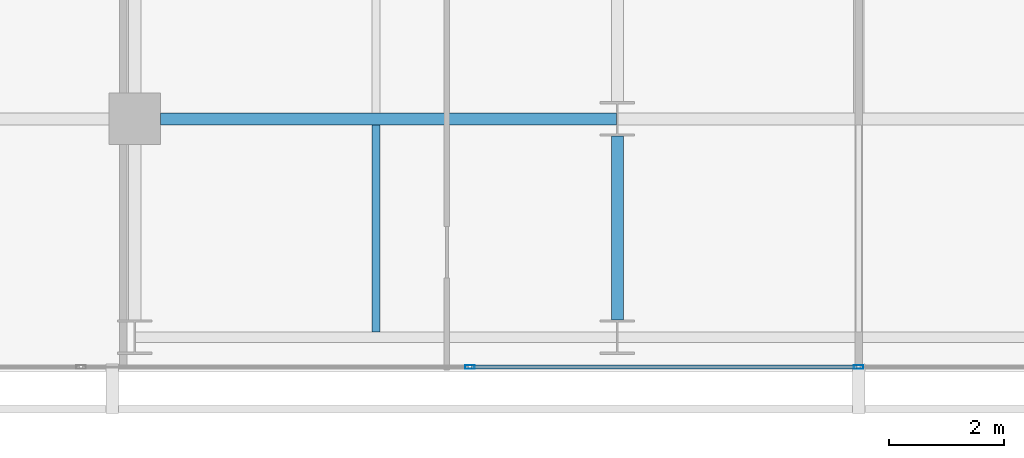
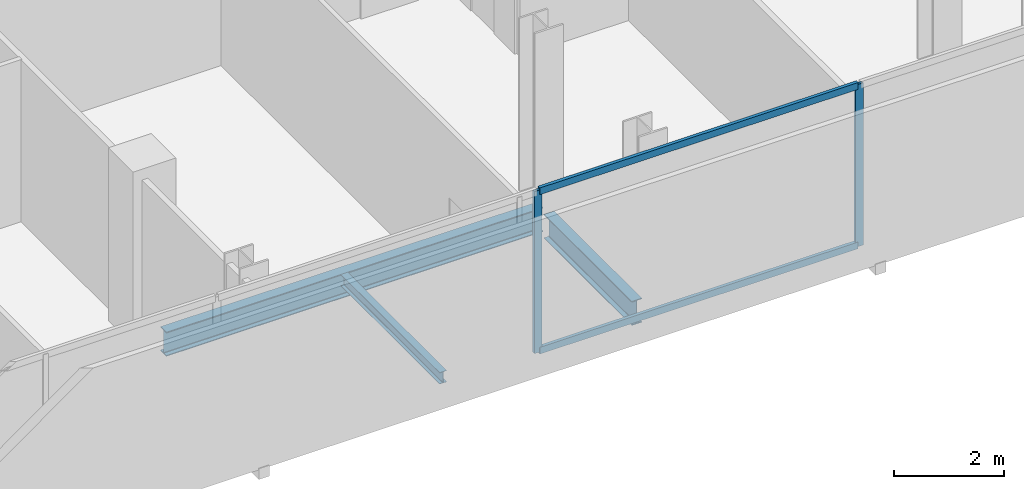
# One storey, part 6 of 34: 4 members, 3 beams, 1 element without a shape of its own.
"""IFC4 building model written with IfcOpenShell, lengths in metres."""

from ifc_helpers import new_model, si_unit, direction, frame, origin, origin_2d, place, context, subcontext, project, spatial, hollow_rectangle, i_section, extrude, material, layer, layer_set, material_profile, profile_set, type_object, element, aggregate, save


model = new_model("IFC4")

# Units and contexts
model_context = context("Model", 3, precision=1e-05, world=origin(), true_north=direction((0.0, 1.0)))
body_context = subcontext(model_context, "Body", "Model", "MODEL_VIEW")
ifc_project = project(units=[si_unit("LENGTHUNIT", "METRE"), si_unit("AREAUNIT", "SQUARE_METRE"), si_unit("VOLUMEUNIT", "CUBIC_METRE"), si_unit("PLANEANGLEUNIT", "RADIAN"), si_unit("MASSUNIT", "GRAM", prefix="KILO")], contexts=[model_context])

# Site, building, storey
site_placement = place(None, origin())
site = spatial("IfcSite", under=ifc_project, at=site_placement, CompositionType="ELEMENT")
building_placement = place(site_placement, origin())
building = spatial("IfcBuilding", under=site, at=building_placement, Name="Maruvema Waterfront Hotel and Observation Tower", CompositionType="ELEMENT")
storey_placement = place(building_placement, frame((0.0, 0.0, 212.10009765625)))
storey = spatial("IfcBuildingStorey", under=building, at=storey_placement, Name="L52", CompositionType="ELEMENT", Elevation=212.10009765625)

# Curtain wall, members
ifc_material_1 = material(Name="Anodised bronze aluminium and solar-control low-E IGU", Category="aluminium")
ifc_layer = layer(ifc_material_1, 0.159912109375, Name="Zone 2 Amber Inner Thermal Curtain Wall System CW-03")
ifc_layer_set = layer_set([ifc_layer], Name="Anodised bronze aluminium and solar-control low-E IGU")
curtain_wall_type = type_object("IfcCurtainWallType", Name="Zone 2 Amber Inner Thermal Curtain Wall System CW-03", PredefinedType="USERDEFINED", material=ifc_layer_set)
curtain_wall_placement = place(storey_placement, origin())
curtain_wall = element("IfcCurtainWall", 1, at=curtain_wall_placement, inside=storey, type_object=curtain_wall_type, Name="L52 Curtain Wall CW-L52-S", ObjectType="UNITISED CURTAIN WALL", PredefinedType="USERDEFINED")
ifc_material_2 = material(Name="Anodised architectural bronze aluminium", Category="aluminium")
ifc_material_profile_1 = material_profile(ifc_material_2, hollow_rectangle(XDim=0.070068359375, YDim=0.14990234375, WallThickness=0.00390625, at=origin_2d()), Name="ALU-T70x150")
ifc_profile_set_1 = profile_set([ifc_material_profile_1], Name="Anodised architectural bronze aluminium")
member_type_1 = type_object("IfcMemberType", Name="Curtain Wall Horizontal Transom ALU-T70x150", PredefinedType="USERDEFINED", material=ifc_profile_set_1)
member_1_placement = place(storey_placement, frame((31.063232421875, 4.679931640625, 0.02978515625), z_axis=(1.0, 0.0, 0.0), x_axis=(0.0, 1.0, 0.0)))
member_1 = element("IfcMember", 2, at=member_1_placement, type_object=member_type_1, Name="CW-03 transom 3.1", ObjectType="TRANSOM", PredefinedType="USERDEFINED", context=body_context, shape_type="SweptSolid", body=[
    extrude(hollow_rectangle(XDim=0.070068359375, YDim=0.14990234375, WallThickness=0.00390625, at=origin_2d()), origin(), (0.0, 0.0, 1.0), 6.706787109375),
])
member_2_placement = place(storey_placement, frame((31.063232421875, 4.679931640625, 3.579833984375), z_axis=(1.0, 0.0, 0.0), x_axis=(0.0, 1.0, 0.0)))
member_2 = element("IfcMember", 3, at=member_2_placement, type_object=member_type_1, Name="CW-03 transom 3.2", ObjectType="TRANSOM", PredefinedType="USERDEFINED", context=body_context, shape_type="SweptSolid", body=[
    extrude(hollow_rectangle(XDim=0.070068359375, YDim=0.14990234375, WallThickness=0.00390625, at=origin_2d()), origin(), (0.0, 0.0, 1.0), 6.706787109375),
])
ifc_material_3 = material(Name="Anodised architectural bronze aluminium", Category="aluminium")
ifc_material_profile_2 = material_profile(ifc_material_3, hollow_rectangle(XDim=0.06494140625, YDim=0.1650390625, WallThickness=0.00390625, at=origin_2d()), Name="ALU-M65x165")
ifc_profile_set_2 = profile_set([ifc_material_profile_2], Name="Anodised architectural bronze aluminium")
member_type_2 = type_object("IfcMemberType", Name="Curtain Wall Primary Mullion ALU-M65x165", PredefinedType="MULLION", material=ifc_profile_set_2)
member_3_placement = place(storey_placement, frame((31.033447265625, 4.679931640625, 0.0), z_axis=(0.0, 0.0, 1.0), x_axis=(0.0, 1.0, 0.0)))
member_3 = element("IfcMember", 4, at=member_3_placement, type_object=member_type_2, Name="CW-03 mullion 3", PredefinedType="MULLION", context=body_context, shape_type="SweptSolid", body=[
    extrude(hollow_rectangle(XDim=0.06494140625, YDim=0.1650390625, WallThickness=0.00390625, at=origin_2d()), origin(), (0.0, 0.0, 1.0), 3.60986328125),
])
member_4_placement = place(storey_placement, frame((37.800048828125, 4.679931640625, 0.0), z_axis=(0.0, 0.0, 1.0), x_axis=(0.0, 1.0, 0.0)))
member_4 = element("IfcMember", 5, at=member_4_placement, type_object=member_type_2, Name="CW-03 mullion 4", PredefinedType="MULLION", context=body_context, shape_type="SweptSolid", body=[
    extrude(hollow_rectangle(XDim=0.06494140625, YDim=0.1650390625, WallThickness=0.00390625, at=origin_2d()), origin(), (0.0, 0.0, 1.0), 3.60986328125),
])
aggregate(curtain_wall, [member_3, member_4, member_1, member_2])

# Beams
ifc_material_4 = material(Name="Steel ASTM A572 Grade 50", Category="steel")
ifc_material_profile_3 = material_profile(ifc_material_4, i_section(OverallWidth=0.2109375, OverallDepth=0.5390625, WebThickness=0.01171875, FlangeThickness=0.018798828125, FilletRadius=0.014892578125, at=origin_2d()), Name="W530x109.0")
ifc_profile_set_3 = profile_set([ifc_material_profile_3], Name="Steel ASTM A572 Grade 50")
beam_type_1 = type_object("IfcBeamType", Name="Primary Floor Girder W530x109.0", PredefinedType="BEAM", material=ifc_profile_set_3)
beam_1_placement = place(storey_placement, frame((25.64990234375, 9.0, -0.509521484375), z_axis=(1.0, 0.0, 0.0), x_axis=(0.0, 1.0, 0.0)))
element("IfcBeam", 6, at=beam_1_placement, inside=storey, type_object=beam_type_1, Name="L52 Floor Girder EW-06", PredefinedType="BEAM", context=body_context, shape_type="SweptSolid", body=[
    extrude(i_section(OverallWidth=0.2109375, OverallDepth=0.5390625, WebThickness=0.01171875, FlangeThickness=0.018798828125, FilletRadius=0.014892578125, at=origin_2d()), origin(), (0.0, 0.0, 1.0), 7.9375),
])
beam_2_placement = place(storey_placement, frame((33.60009765625, 5.5, -0.509521484375), z_axis=(0.0, 1.0, 0.0), x_axis=(-1.0, 0.0, 0.0)))
element("IfcBeam", 7, at=beam_2_placement, inside=storey, type_object=beam_type_1, Name="L52 Floor Girder NS-14", PredefinedType="BEAM", context=body_context, shape_type="SweptSolid", body=[
    extrude(i_section(OverallWidth=0.2109375, OverallDepth=0.5390625, WebThickness=0.01171875, FlangeThickness=0.018798828125, FilletRadius=0.014892578125, at=origin_2d()), origin(), (0.0, 0.0, 1.0), 3.199951171875),
])
ifc_material_5 = material(Name="Steel ASTM A572 Grade 50", Category="steel")
ifc_material_profile_4 = material_profile(ifc_material_5, i_section(OverallWidth=0.14599609375, OverallDepth=0.258056640625, WebThickness=0.006103515625, FlangeThickness=0.009033203125, FilletRadius=0.012939453125, at=origin_2d()), Name="W250x32.7")
ifc_profile_set_4 = profile_set([ifc_material_profile_4], Name="Steel ASTM A572 Grade 50")
beam_type_2 = type_object("IfcBeamType", Name="Secondary Floor Joist W250x32.7", PredefinedType="JOIST", material=ifc_profile_set_4)
beam_3_placement = place(storey_placement, frame((29.39990234375, 5.28955078125, -0.369140625), z_axis=(0.0, 1.0, 0.0), x_axis=(-1.0, 0.0, 0.0)))
element("IfcBeam", 8, at=beam_3_placement, inside=storey, type_object=beam_type_2, Name="L52 Secondary Floor Joist JS-05", PredefinedType="JOIST", context=body_context, shape_type="SweptSolid", body=[
    extrude(i_section(OverallWidth=0.14599609375, OverallDepth=0.258056640625, WebThickness=0.006103515625, FlangeThickness=0.009033203125, FilletRadius=0.012939453125, at=origin_2d()), origin(), (0.0, 0.0, 1.0), 3.60498046875),
])

save(model, "model.ifc")
